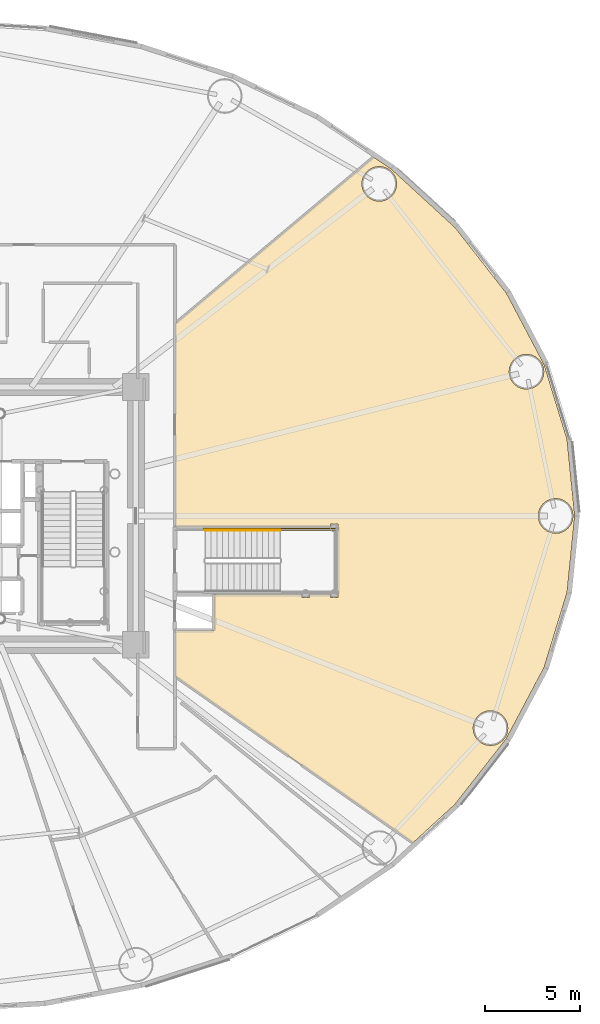
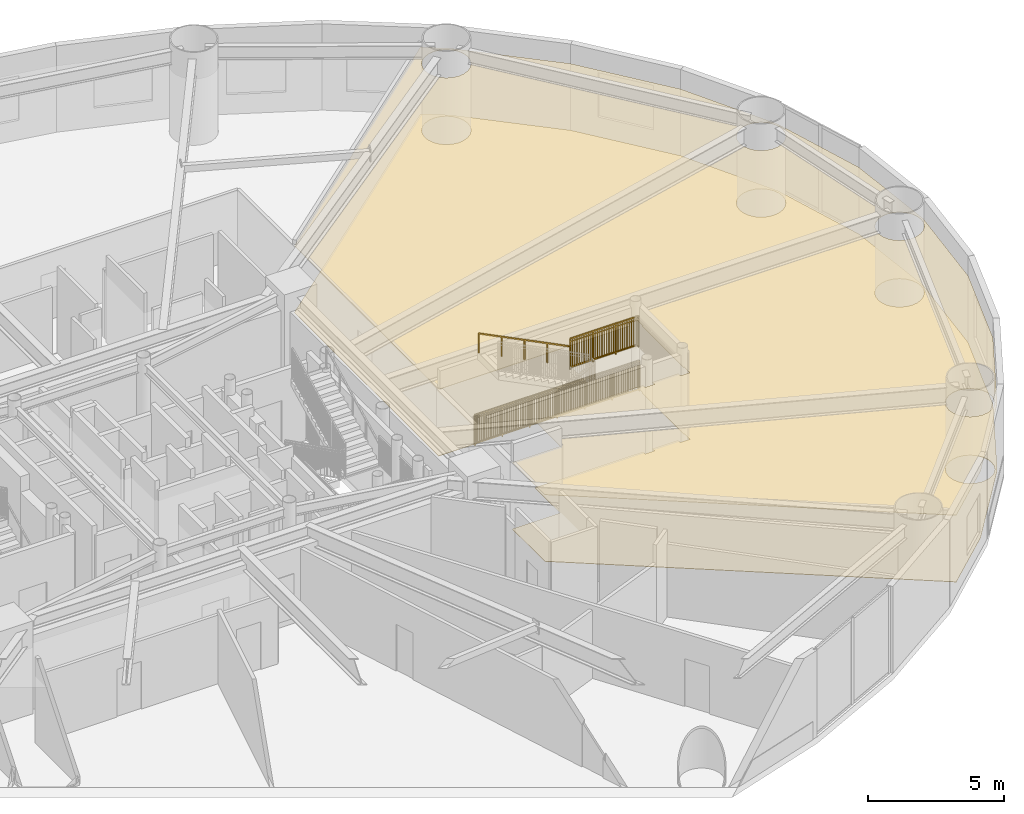
# One storey, part 29 of 30: 3 railings, 2 coverings.
"""IFC4 building model written with IfcOpenShell, lengths in metres."""

from ifc_helpers import new_model, si_unit, direction, frame, origin, origin_2d, place, context, subcontext, project, spatial, polyline, rectangle, outline, extrude, source, transform, mapped, material, layer, layer_set, type_object, element, save


model = new_model("IFC4")

# Units and contexts
model_context = context("Model", 3, precision=1e-05, world=origin(), true_north=direction((0.0, 1.0)))
body_context = subcontext(model_context, "Body", "Model", "MODEL_VIEW")
ifc_project = project(units=[si_unit("LENGTHUNIT", "METRE"), si_unit("AREAUNIT", "SQUARE_METRE"), si_unit("VOLUMEUNIT", "CUBIC_METRE"), si_unit("PLANEANGLEUNIT", "RADIAN"), si_unit("MASSUNIT", "GRAM", prefix="KILO")], contexts=[model_context])

# Site, building, storey
site_placement = place(None, origin())
site = spatial("IfcSite", under=ifc_project, at=site_placement, CompositionType="ELEMENT")
building_placement = place(site_placement, origin())
building = spatial("IfcBuilding", under=site, at=building_placement, Name="Linh Dai School and Residence Tower", CompositionType="ELEMENT")
storey_placement = place(building_placement, frame((0.0, 0.0, 10.199951171875)))
storey = spatial("IfcBuildingStorey", under=building, at=storey_placement, Name="L02", CompositionType="ELEMENT", Elevation=10.199951171875)

# Coverings
ifc_material_1 = material(Name="Mineral Fibre Acoustic Suspended Ceiling", Category="masonry")
ifc_layer_1 = layer(ifc_material_1, 0.02001953125)
ifc_layer_set_1 = layer_set([ifc_layer_1], Name="Mineral Fibre Acoustic Suspended Ceiling")
covering_type_1 = type_object("IfcCoveringType", Name="COV-CEIL-AC-20", PredefinedType="CEILING", material=ifc_layer_set_1)
covering_1_placement = place(storey_placement, frame((0.0, 0.0, 3.0)))
element("IfcCovering", 1, at=covering_1_placement, inside=storey, type_object=covering_type_1, Name="L02 Primary School Multi-Purpose Assembly Hall Suspended Ceiling", PredefinedType="CEILING", context=body_context, shape_type="SweptSolid", body=[
    extrude(outline(polyline([(62.676025390625, 11.8876953125), (60.470703125, 9.865478515625), (48.0, 18.597412109375), (48.0, 21.0), (50.050048828125, 21.0), (50.050048828125, 22.8798828125), (54.646728515625, 22.8798828125), (54.646728515625, 22.716796875), (55.05322265625, 22.716796875), (55.05322265625, 22.8798828125), (56.146728515625, 22.8798828125), (56.146728515625, 22.716796875), (56.55322265625, 22.716796875), (56.55322265625, 23.123291015625), (56.52001953125, 23.123291015625), (56.52001953125, 26.1767578125), (56.55322265625, 26.1767578125), (56.55322265625, 26.583251953125), (56.146728515625, 26.583251953125), (56.146728515625, 26.419921875), (48.0, 26.419921875), (48.0, 37.069091796875), (58.40576171875, 45.80078125), (59.32177734375, 45.18798828125), (62.676025390625, 42.1123046875), (65.371826171875, 38.66748046875), (67.34423828125, 34.938720703125), (68.546142578125, 31.017578125), (68.949951171875, 27.0), (68.546142578125, 22.982421875), (67.34423828125, 19.061279296875), (65.371826171875, 15.33251953125), (62.676025390625, 11.8876953125)]), holes=[polyline([(68.73974609375, 26.5439453125), (68.830810546875, 26.763916015625), (68.862060546875, 27.0), (68.830810546875, 27.236083984375), (68.73974609375, 27.4560546875), (68.594970703125, 27.64501953125), (68.406005859375, 27.789794921875), (68.18603515625, 27.880859375), (67.949951171875, 27.912109375), (67.714111328125, 27.880859375), (67.493896484375, 27.789794921875), (67.30517578125, 27.64501953125), (67.16015625, 27.4560546875), (67.069091796875, 27.236083984375), (67.0380859375, 27.0), (67.069091796875, 26.763916015625), (67.16015625, 26.5439453125), (67.30517578125, 26.35498046875), (67.493896484375, 26.210205078125), (67.714111328125, 26.119140625), (67.949951171875, 26.087890625), (68.18603515625, 26.119140625), (68.406005859375, 26.210205078125), (68.594970703125, 26.35498046875), (68.73974609375, 26.5439453125)]), polyline([(67.210205078125, 34.099365234375), (67.301513671875, 34.3193359375), (67.33251953125, 34.555419921875), (67.301513671875, 34.79150390625), (67.210205078125, 35.011474609375), (67.0654296875, 35.2001953125), (66.87646484375, 35.34521484375), (66.656494140625, 35.436279296875), (66.42041015625, 35.46728515625), (66.1845703125, 35.436279296875), (65.964599609375, 35.34521484375), (65.775634765625, 35.2001953125), (65.630615234375, 35.011474609375), (65.53955078125, 34.79150390625), (65.508544921875, 34.555419921875), (65.53955078125, 34.3193359375), (65.630615234375, 34.099365234375), (65.775634765625, 33.910400390625), (65.964599609375, 33.765625), (66.1845703125, 33.674560546875), (66.42041015625, 33.643310546875), (66.656494140625, 33.674560546875), (66.87646484375, 33.765625), (67.0654296875, 33.910400390625), (67.210205078125, 34.099365234375)]), polyline([(65.323486328125, 15.421875), (65.41455078125, 15.641845703125), (65.44580078125, 15.8779296875), (65.41455078125, 16.114013671875), (65.323486328125, 16.333984375), (65.178466796875, 16.522705078125), (64.98974609375, 16.667724609375), (64.769775390625, 16.7587890625), (64.53369140625, 16.789794921875), (64.297607421875, 16.7587890625), (64.07763671875, 16.667724609375), (63.888916015625, 16.522705078125), (63.743896484375, 16.333984375), (63.652587890625, 16.114013671875), (63.62158203125, 15.8779296875), (63.652587890625, 15.641845703125), (63.743896484375, 15.421875), (63.888916015625, 15.233154296875), (64.07763671875, 15.088134765625), (64.297607421875, 14.9970703125), (64.53369140625, 14.9658203125), (64.769775390625, 14.9970703125), (64.98974609375, 15.088134765625), (65.178466796875, 15.233154296875), (65.323486328125, 15.421875)]), polyline([(59.4951171875, 43.944580078125), (59.586181640625, 44.16455078125), (59.6171875, 44.400634765625), (59.586181640625, 44.63671875), (59.4951171875, 44.856689453125), (59.35009765625, 45.04541015625), (59.1611328125, 45.1904296875), (58.94140625, 45.281494140625), (58.705078125, 45.3125), (58.46923828125, 45.281494140625), (58.249267578125, 45.1904296875), (58.060302734375, 45.04541015625), (57.915283203125, 44.856689453125), (57.82421875, 44.63671875), (57.793212890625, 44.400634765625), (57.82421875, 44.16455078125), (57.915283203125, 43.944580078125), (58.060302734375, 43.755859375), (58.249267578125, 43.61083984375), (58.46923828125, 43.519775390625), (58.705078125, 43.488525390625), (58.94140625, 43.519775390625), (59.1611328125, 43.61083984375), (59.35009765625, 43.755859375), (59.4951171875, 43.944580078125)])]), origin(), (0.0, 0.0, 1.0), 0.02001953125),
])
ifc_material_2 = material(Name="Polished Terrazzo Floor Finish", Category="masonry")
ifc_layer_2 = layer(ifc_material_2, 0.02490234375)
ifc_layer_set_2 = layer_set([ifc_layer_2], Name="Polished Terrazzo Floor Finish")
covering_type_2 = type_object("IfcCoveringType", Name="COV-FLR-TRZ-25", PredefinedType="FLOORING", material=ifc_layer_set_2)
covering_2_placement = place(storey_placement, origin())
element("IfcCovering", 2, at=covering_2_placement, inside=storey, type_object=covering_type_2, Name="L02 Primary School Multi-Purpose Assembly Hall Floor Finish", PredefinedType="FLOORING", context=body_context, shape_type="SweptSolid", body=[
    extrude(outline(polyline([(62.676025390625, 11.8876953125), (60.470703125, 9.865478515625), (48.0, 18.597412109375), (48.0, 21.0), (50.050048828125, 21.0), (50.050048828125, 22.8798828125), (54.646728515625, 22.8798828125), (54.646728515625, 22.716796875), (55.05322265625, 22.716796875), (55.05322265625, 22.8798828125), (56.146728515625, 22.8798828125), (56.146728515625, 22.716796875), (56.55322265625, 22.716796875), (56.55322265625, 23.123291015625), (56.52001953125, 23.123291015625), (56.52001953125, 26.1767578125), (56.55322265625, 26.1767578125), (56.55322265625, 26.583251953125), (56.146728515625, 26.583251953125), (56.146728515625, 26.419921875), (48.0, 26.419921875), (48.0, 37.069091796875), (58.40576171875, 45.80078125), (59.32177734375, 45.18798828125), (62.676025390625, 42.1123046875), (65.371826171875, 38.66748046875), (67.34423828125, 34.938720703125), (68.546142578125, 31.017578125), (68.949951171875, 27.0), (68.546142578125, 22.982421875), (67.34423828125, 19.061279296875), (65.371826171875, 15.33251953125), (62.676025390625, 11.8876953125)]), holes=[polyline([(68.73974609375, 26.5439453125), (68.830810546875, 26.763916015625), (68.862060546875, 27.0), (68.830810546875, 27.236083984375), (68.73974609375, 27.4560546875), (68.594970703125, 27.64501953125), (68.406005859375, 27.789794921875), (68.18603515625, 27.880859375), (67.949951171875, 27.912109375), (67.714111328125, 27.880859375), (67.493896484375, 27.789794921875), (67.30517578125, 27.64501953125), (67.16015625, 27.4560546875), (67.069091796875, 27.236083984375), (67.0380859375, 27.0), (67.069091796875, 26.763916015625), (67.16015625, 26.5439453125), (67.30517578125, 26.35498046875), (67.493896484375, 26.210205078125), (67.714111328125, 26.119140625), (67.949951171875, 26.087890625), (68.18603515625, 26.119140625), (68.406005859375, 26.210205078125), (68.594970703125, 26.35498046875), (68.73974609375, 26.5439453125)]), polyline([(67.210205078125, 34.099365234375), (67.301513671875, 34.3193359375), (67.33251953125, 34.555419921875), (67.301513671875, 34.79150390625), (67.210205078125, 35.011474609375), (67.0654296875, 35.2001953125), (66.87646484375, 35.34521484375), (66.656494140625, 35.436279296875), (66.42041015625, 35.46728515625), (66.1845703125, 35.436279296875), (65.964599609375, 35.34521484375), (65.775634765625, 35.2001953125), (65.630615234375, 35.011474609375), (65.53955078125, 34.79150390625), (65.508544921875, 34.555419921875), (65.53955078125, 34.3193359375), (65.630615234375, 34.099365234375), (65.775634765625, 33.910400390625), (65.964599609375, 33.765625), (66.1845703125, 33.674560546875), (66.42041015625, 33.643310546875), (66.656494140625, 33.674560546875), (66.87646484375, 33.765625), (67.0654296875, 33.910400390625), (67.210205078125, 34.099365234375)]), polyline([(65.323486328125, 15.421875), (65.41455078125, 15.641845703125), (65.44580078125, 15.8779296875), (65.41455078125, 16.114013671875), (65.323486328125, 16.333984375), (65.178466796875, 16.522705078125), (64.98974609375, 16.667724609375), (64.769775390625, 16.7587890625), (64.53369140625, 16.789794921875), (64.297607421875, 16.7587890625), (64.07763671875, 16.667724609375), (63.888916015625, 16.522705078125), (63.743896484375, 16.333984375), (63.652587890625, 16.114013671875), (63.62158203125, 15.8779296875), (63.652587890625, 15.641845703125), (63.743896484375, 15.421875), (63.888916015625, 15.233154296875), (64.07763671875, 15.088134765625), (64.297607421875, 14.9970703125), (64.53369140625, 14.9658203125), (64.769775390625, 14.9970703125), (64.98974609375, 15.088134765625), (65.178466796875, 15.233154296875), (65.323486328125, 15.421875)]), polyline([(59.4951171875, 43.944580078125), (59.586181640625, 44.16455078125), (59.6171875, 44.400634765625), (59.586181640625, 44.63671875), (59.4951171875, 44.856689453125), (59.35009765625, 45.04541015625), (59.1611328125, 45.1904296875), (58.94140625, 45.281494140625), (58.705078125, 45.3125), (58.46923828125, 45.281494140625), (58.249267578125, 45.1904296875), (58.060302734375, 45.04541015625), (57.915283203125, 44.856689453125), (57.82421875, 44.63671875), (57.793212890625, 44.400634765625), (57.82421875, 44.16455078125), (57.915283203125, 43.944580078125), (58.060302734375, 43.755859375), (58.249267578125, 43.61083984375), (58.46923828125, 43.519775390625), (58.705078125, 43.488525390625), (58.94140625, 43.519775390625), (59.1611328125, 43.61083984375), (59.35009765625, 43.755859375), (59.4951171875, 43.944580078125)])]), origin(), (0.0, 0.0, 1.0), 0.02001953125),
])

# Railings
ifc_material_3 = material(Name="Brushed Stainless Steel Handrail", Category="steel")
railing_type_1 = type_object("IfcRailingType", Name="RL-ST-HANDRAIL-900", PredefinedType="HANDRAIL", material=ifc_material_3)
shared_shape_1 = source(origin(), body_context, "Body", "SweptSolid", [
    extrude(rectangle(XDim=0.048095703125, YDim=0.048095703125, at=origin_2d()), frame((0.0, 0.0, 0.8759765625), z_axis=(-0.894427191, 0.0, 0.4472135955), x_axis=(0.0, -1.0, 0.0)), (0.0, 0.0, 1.0), 4.360107421875),
    extrude(rectangle(XDim=0.0419921875, YDim=0.0419921875, at=origin_2d()), origin(), (0.0, 0.0, 1.0), 0.8759765625),
    extrude(rectangle(XDim=0.0419921875, YDim=0.0419921875, at=origin_2d()), frame((-0.97509765625, 0.0, 0.487548828125)), (0.0, 0.0, 1.0), 0.8759765625),
    extrude(rectangle(XDim=0.0419921875, YDim=0.0419921875, at=origin_2d()), frame((-1.949951171875, 0.0, 0.97509765625)), (0.0, 0.0, 1.0), 0.8759765625),
    extrude(rectangle(XDim=0.0419921875, YDim=0.0419921875, at=origin_2d()), frame((-2.9248046875, 0.0, 1.46240234375)), (0.0, 0.0, 1.0), 0.8759765625),
    extrude(rectangle(XDim=0.0419921875, YDim=0.0419921875, at=origin_2d()), frame((-3.89990234375, 0.0, 1.949951171875)), (0.0, 0.0, 1.0), 0.8759765625),
])
railing_1_placement = place(storey_placement, frame((53.5, 26.25, 2.25)))
element("IfcRailing", 3, at=railing_1_placement, inside=storey, type_object=railing_type_1, Name="L02 STS2 stair handrail 2", PredefinedType="HANDRAIL", context=body_context, shape_type="MappedRepresentation", body=[
    mapped(shared_shape_1, transform((0.0, 0.0, 0.0), x_axis=(1.0, 0.0, 0.0), y_axis=(0.0, 1.0, 0.0), z_axis=(0.0, 0.0, 1.0), scale=1.0)),
])
ifc_material_4 = material(Name="Structural Steel S355JR", Category="steel")
railing_type_2 = type_object("IfcRailingType", Name="RL-ST-GUARD-1400", PredefinedType="GUARDRAIL", material=ifc_material_4)
shared_shape_2 = source(origin(), body_context, "Body", "SweptSolid", [
    extrude(rectangle(XDim=0.048095703125, YDim=0.048095703125, at=origin_2d()), frame((0.0, 0.0, 1.3759765625), z_axis=(1.0, 0.0, 0.0), x_axis=(0.0, 1.0, 0.0)), (0.0, 0.0, 1.0), 2.89990234375),
    extrude(rectangle(XDim=0.048095703125, YDim=0.048095703125, at=origin_2d()), frame((0.0, 0.0, 0.10009765625), z_axis=(1.0, 0.0, 0.0), x_axis=(0.0, 1.0, 0.0)), (0.0, 0.0, 1.0), 2.89990234375),
    extrude(rectangle(XDim=0.030029296875, YDim=0.030029296875, at=origin_2d()), frame((0.0, 0.0, 1.239990234375), z_axis=(1.0, 0.0, 0.0), x_axis=(0.0, 1.0, 0.0)), (0.0, 0.0, 1.0), 2.89990234375),
    extrude(rectangle(XDim=0.02001953125, YDim=0.02001953125, at=origin_2d()), frame((0.0966796875, 0.0, 0.10009765625)), (0.0, 0.0, 1.0), 1.251708984375),
    extrude(rectangle(XDim=0.02001953125, YDim=0.02001953125, at=origin_2d()), frame((0.193359375, 0.0, 0.10009765625)), (0.0, 0.0, 1.0), 1.251708984375),
    extrude(rectangle(XDim=0.02001953125, YDim=0.02001953125, at=origin_2d()), frame((0.2900390625, 0.0, 0.10009765625)), (0.0, 0.0, 1.0), 1.251708984375),
    extrude(rectangle(XDim=0.02001953125, YDim=0.02001953125, at=origin_2d()), frame((0.38671875, 0.0, 0.10009765625)), (0.0, 0.0, 1.0), 1.251708984375),
    extrude(rectangle(XDim=0.02001953125, YDim=0.02001953125, at=origin_2d()), frame((0.4833984375, 0.0, 0.10009765625)), (0.0, 0.0, 1.0), 1.251708984375),
    extrude(rectangle(XDim=0.02001953125, YDim=0.02001953125, at=origin_2d()), frame((0.580078125, 0.0, 0.10009765625)), (0.0, 0.0, 1.0), 1.251708984375),
    extrude(rectangle(XDim=0.02001953125, YDim=0.02001953125, at=origin_2d()), frame((0.6767578125, 0.0, 0.10009765625)), (0.0, 0.0, 1.0), 1.251708984375),
    extrude(rectangle(XDim=0.02001953125, YDim=0.02001953125, at=origin_2d()), frame((0.773193359375, 0.0, 0.10009765625)), (0.0, 0.0, 1.0), 1.251708984375),
    extrude(rectangle(XDim=0.02001953125, YDim=0.02001953125, at=origin_2d()), frame((0.869873046875, 0.0, 0.10009765625)), (0.0, 0.0, 1.0), 1.251708984375),
    extrude(rectangle(XDim=0.02001953125, YDim=0.02001953125, at=origin_2d()), frame((1.063232421875, 0.0, 0.10009765625)), (0.0, 0.0, 1.0), 1.251708984375),
    extrude(rectangle(XDim=0.02001953125, YDim=0.02001953125, at=origin_2d()), frame((1.159912109375, 0.0, 0.10009765625)), (0.0, 0.0, 1.0), 1.251708984375),
    extrude(rectangle(XDim=0.02001953125, YDim=0.02001953125, at=origin_2d()), frame((1.256591796875, 0.0, 0.10009765625)), (0.0, 0.0, 1.0), 1.251708984375),
    extrude(rectangle(XDim=0.02001953125, YDim=0.02001953125, at=origin_2d()), frame((1.353271484375, 0.0, 0.10009765625)), (0.0, 0.0, 1.0), 1.251708984375),
    extrude(rectangle(XDim=0.02001953125, YDim=0.02001953125, at=origin_2d()), frame((1.449951171875, 0.0, 0.10009765625)), (0.0, 0.0, 1.0), 1.251708984375),
    extrude(rectangle(XDim=0.02001953125, YDim=0.02001953125, at=origin_2d()), frame((1.546630859375, 0.0, 0.10009765625)), (0.0, 0.0, 1.0), 1.251708984375),
    extrude(rectangle(XDim=0.02001953125, YDim=0.02001953125, at=origin_2d()), frame((1.643310546875, 0.0, 0.10009765625)), (0.0, 0.0, 1.0), 1.251708984375),
    extrude(rectangle(XDim=0.02001953125, YDim=0.02001953125, at=origin_2d()), frame((1.739990234375, 0.0, 0.10009765625)), (0.0, 0.0, 1.0), 1.251708984375),
    extrude(rectangle(XDim=0.02001953125, YDim=0.02001953125, at=origin_2d()), frame((1.836669921875, 0.0, 0.10009765625)), (0.0, 0.0, 1.0), 1.251708984375),
    extrude(rectangle(XDim=0.02001953125, YDim=0.02001953125, at=origin_2d()), frame((2.030029296875, 0.0, 0.10009765625)), (0.0, 0.0, 1.0), 1.251708984375),
    extrude(rectangle(XDim=0.02001953125, YDim=0.02001953125, at=origin_2d()), frame((2.126708984375, 0.0, 0.10009765625)), (0.0, 0.0, 1.0), 1.251708984375),
    extrude(rectangle(XDim=0.02001953125, YDim=0.02001953125, at=origin_2d()), frame((2.22314453125, 0.0, 0.10009765625)), (0.0, 0.0, 1.0), 1.251708984375),
    extrude(rectangle(XDim=0.02001953125, YDim=0.02001953125, at=origin_2d()), frame((2.31982421875, 0.0, 0.10009765625)), (0.0, 0.0, 1.0), 1.251708984375),
    extrude(rectangle(XDim=0.02001953125, YDim=0.02001953125, at=origin_2d()), frame((2.41650390625, 0.0, 0.10009765625)), (0.0, 0.0, 1.0), 1.251708984375),
    extrude(rectangle(XDim=0.02001953125, YDim=0.02001953125, at=origin_2d()), frame((2.51318359375, 0.0, 0.10009765625)), (0.0, 0.0, 1.0), 1.251708984375),
    extrude(rectangle(XDim=0.02001953125, YDim=0.02001953125, at=origin_2d()), frame((2.60986328125, 0.0, 0.10009765625)), (0.0, 0.0, 1.0), 1.251708984375),
    extrude(rectangle(XDim=0.02001953125, YDim=0.02001953125, at=origin_2d()), frame((2.70654296875, 0.0, 0.10009765625)), (0.0, 0.0, 1.0), 1.251708984375),
    extrude(rectangle(XDim=0.02001953125, YDim=0.02001953125, at=origin_2d()), frame((2.80322265625, 0.0, 0.10009765625)), (0.0, 0.0, 1.0), 1.251708984375),
    extrude(rectangle(XDim=0.0419921875, YDim=0.0419921875, at=origin_2d()), origin(), (0.0, 0.0, 1.0), 1.3759765625),
    extrude(rectangle(XDim=0.0419921875, YDim=0.0419921875, at=origin_2d()), frame((0.966552734375, 0.0, 0.0)), (0.0, 0.0, 1.0), 1.3759765625),
    extrude(rectangle(XDim=0.0419921875, YDim=0.0419921875, at=origin_2d()), frame((1.933349609375, 0.0, 0.0)), (0.0, 0.0, 1.0), 1.3759765625),
    extrude(rectangle(XDim=0.0419921875, YDim=0.0419921875, at=origin_2d()), frame((2.89990234375, 0.0, 0.0)), (0.0, 0.0, 1.0), 1.3759765625),
])
railing_2_placement = place(storey_placement, frame((53.5, 26.25, 2.10009765625)))
element("IfcRailing", 4, at=railing_2_placement, inside=storey, type_object=railing_type_2, Name="L02 STS2 stair guard 4", PredefinedType="GUARDRAIL", context=body_context, shape_type="MappedRepresentation", body=[
    mapped(shared_shape_2, transform((0.0, 0.0, 0.0), x_axis=(1.0, 0.0, 0.0), y_axis=(0.0, 1.0, 0.0), z_axis=(0.0, 0.0, 1.0), scale=1.0)),
])
shared_shape_3 = source(origin(), body_context, "Body", "SweptSolid", [
    extrude(rectangle(XDim=0.048095703125, YDim=0.048095703125, at=origin_2d()), frame((0.0, 0.0, 1.3759765625), z_axis=(1.0, 0.0, 0.0), x_axis=(0.0, 1.0, 0.0)), (0.0, 0.0, 1.0), 7.0),
    extrude(rectangle(XDim=0.048095703125, YDim=0.048095703125, at=origin_2d()), frame((0.0, 0.0, 0.10009765625), z_axis=(1.0, 0.0, 0.0), x_axis=(0.0, 1.0, 0.0)), (0.0, 0.0, 1.0), 7.0),
    extrude(rectangle(XDim=0.030029296875, YDim=0.030029296875, at=origin_2d()), frame((0.0, 0.0, 1.239990234375), z_axis=(1.0, 0.0, 0.0), x_axis=(0.0, 1.0, 0.0)), (0.0, 0.0, 1.0), 7.0),
    extrude(rectangle(XDim=0.02001953125, YDim=0.02001953125, at=origin_2d()), frame((0.09716796875, 0.0, 0.10009765625)), (0.0, 0.0, 1.0), 1.251708984375),
    extrude(rectangle(XDim=0.02001953125, YDim=0.02001953125, at=origin_2d()), frame((0.1943359375, 0.0, 0.10009765625)), (0.0, 0.0, 1.0), 1.251708984375),
    extrude(rectangle(XDim=0.02001953125, YDim=0.02001953125, at=origin_2d()), frame((0.291748046875, 0.0, 0.10009765625)), (0.0, 0.0, 1.0), 1.251708984375),
    extrude(rectangle(XDim=0.02001953125, YDim=0.02001953125, at=origin_2d()), frame((0.388916015625, 0.0, 0.10009765625)), (0.0, 0.0, 1.0), 1.251708984375),
    extrude(rectangle(XDim=0.02001953125, YDim=0.02001953125, at=origin_2d()), frame((0.486083984375, 0.0, 0.10009765625)), (0.0, 0.0, 1.0), 1.251708984375),
    extrude(rectangle(XDim=0.02001953125, YDim=0.02001953125, at=origin_2d()), frame((0.583251953125, 0.0, 0.10009765625)), (0.0, 0.0, 1.0), 1.251708984375),
    extrude(rectangle(XDim=0.02001953125, YDim=0.02001953125, at=origin_2d()), frame((0.6806640625, 0.0, 0.10009765625)), (0.0, 0.0, 1.0), 1.251708984375),
    extrude(rectangle(XDim=0.02001953125, YDim=0.02001953125, at=origin_2d()), frame((0.77783203125, 0.0, 0.10009765625)), (0.0, 0.0, 1.0), 1.251708984375),
    extrude(rectangle(XDim=0.02001953125, YDim=0.02001953125, at=origin_2d()), frame((0.875, 0.0, 0.10009765625)), (0.0, 0.0, 1.0), 1.251708984375),
    extrude(rectangle(XDim=0.02001953125, YDim=0.02001953125, at=origin_2d()), frame((0.97216796875, 0.0, 0.10009765625)), (0.0, 0.0, 1.0), 1.251708984375),
    extrude(rectangle(XDim=0.02001953125, YDim=0.02001953125, at=origin_2d()), frame((1.0693359375, 0.0, 0.10009765625)), (0.0, 0.0, 1.0), 1.251708984375),
    extrude(rectangle(XDim=0.02001953125, YDim=0.02001953125, at=origin_2d()), frame((1.263916015625, 0.0, 0.10009765625)), (0.0, 0.0, 1.0), 1.251708984375),
    extrude(rectangle(XDim=0.02001953125, YDim=0.02001953125, at=origin_2d()), frame((1.361083984375, 0.0, 0.10009765625)), (0.0, 0.0, 1.0), 1.251708984375),
    extrude(rectangle(XDim=0.02001953125, YDim=0.02001953125, at=origin_2d()), frame((1.458251953125, 0.0, 0.10009765625)), (0.0, 0.0, 1.0), 1.251708984375),
    extrude(rectangle(XDim=0.02001953125, YDim=0.02001953125, at=origin_2d()), frame((1.5556640625, 0.0, 0.10009765625)), (0.0, 0.0, 1.0), 1.251708984375),
    extrude(rectangle(XDim=0.02001953125, YDim=0.02001953125, at=origin_2d()), frame((1.65283203125, 0.0, 0.10009765625)), (0.0, 0.0, 1.0), 1.251708984375),
    extrude(rectangle(XDim=0.02001953125, YDim=0.02001953125, at=origin_2d()), frame((1.75, 0.0, 0.10009765625)), (0.0, 0.0, 1.0), 1.251708984375),
    extrude(rectangle(XDim=0.02001953125, YDim=0.02001953125, at=origin_2d()), frame((1.84716796875, 0.0, 0.10009765625)), (0.0, 0.0, 1.0), 1.251708984375),
    extrude(rectangle(XDim=0.02001953125, YDim=0.02001953125, at=origin_2d()), frame((1.9443359375, 0.0, 0.10009765625)), (0.0, 0.0, 1.0), 1.251708984375),
    extrude(rectangle(XDim=0.02001953125, YDim=0.02001953125, at=origin_2d()), frame((2.041748046875, 0.0, 0.10009765625)), (0.0, 0.0, 1.0), 1.251708984375),
    extrude(rectangle(XDim=0.02001953125, YDim=0.02001953125, at=origin_2d()), frame((2.138916015625, 0.0, 0.10009765625)), (0.0, 0.0, 1.0), 1.251708984375),
    extrude(rectangle(XDim=0.02001953125, YDim=0.02001953125, at=origin_2d()), frame((2.236083984375, 0.0, 0.10009765625)), (0.0, 0.0, 1.0), 1.251708984375),
    extrude(rectangle(XDim=0.02001953125, YDim=0.02001953125, at=origin_2d()), frame((2.4306640625, 0.0, 0.10009765625)), (0.0, 0.0, 1.0), 1.251708984375),
    extrude(rectangle(XDim=0.02001953125, YDim=0.02001953125, at=origin_2d()), frame((2.52783203125, 0.0, 0.10009765625)), (0.0, 0.0, 1.0), 1.251708984375),
    extrude(rectangle(XDim=0.02001953125, YDim=0.02001953125, at=origin_2d()), frame((2.625, 0.0, 0.10009765625)), (0.0, 0.0, 1.0), 1.251708984375),
    extrude(rectangle(XDim=0.02001953125, YDim=0.02001953125, at=origin_2d()), frame((2.72216796875, 0.0, 0.10009765625)), (0.0, 0.0, 1.0), 1.251708984375),
    extrude(rectangle(XDim=0.02001953125, YDim=0.02001953125, at=origin_2d()), frame((2.8193359375, 0.0, 0.10009765625)), (0.0, 0.0, 1.0), 1.251708984375),
    extrude(rectangle(XDim=0.02001953125, YDim=0.02001953125, at=origin_2d()), frame((2.916748046875, 0.0, 0.10009765625)), (0.0, 0.0, 1.0), 1.251708984375),
    extrude(rectangle(XDim=0.02001953125, YDim=0.02001953125, at=origin_2d()), frame((3.013916015625, 0.0, 0.10009765625)), (0.0, 0.0, 1.0), 1.251708984375),
    extrude(rectangle(XDim=0.02001953125, YDim=0.02001953125, at=origin_2d()), frame((3.111083984375, 0.0, 0.10009765625)), (0.0, 0.0, 1.0), 1.251708984375),
    extrude(rectangle(XDim=0.02001953125, YDim=0.02001953125, at=origin_2d()), frame((3.208251953125, 0.0, 0.10009765625)), (0.0, 0.0, 1.0), 1.251708984375),
    extrude(rectangle(XDim=0.02001953125, YDim=0.02001953125, at=origin_2d()), frame((3.3056640625, 0.0, 0.10009765625)), (0.0, 0.0, 1.0), 1.251708984375),
    extrude(rectangle(XDim=0.02001953125, YDim=0.02001953125, at=origin_2d()), frame((3.40283203125, 0.0, 0.10009765625)), (0.0, 0.0, 1.0), 1.251708984375),
    extrude(rectangle(XDim=0.02001953125, YDim=0.02001953125, at=origin_2d()), frame((3.59716796875, 0.0, 0.10009765625)), (0.0, 0.0, 1.0), 1.251708984375),
    extrude(rectangle(XDim=0.02001953125, YDim=0.02001953125, at=origin_2d()), frame((3.6943359375, 0.0, 0.10009765625)), (0.0, 0.0, 1.0), 1.251708984375),
    extrude(rectangle(XDim=0.02001953125, YDim=0.02001953125, at=origin_2d()), frame((3.791748046875, 0.0, 0.10009765625)), (0.0, 0.0, 1.0), 1.251708984375),
    extrude(rectangle(XDim=0.02001953125, YDim=0.02001953125, at=origin_2d()), frame((3.888916015625, 0.0, 0.10009765625)), (0.0, 0.0, 1.0), 1.251708984375),
    extrude(rectangle(XDim=0.02001953125, YDim=0.02001953125, at=origin_2d()), frame((3.986083984375, 0.0, 0.10009765625)), (0.0, 0.0, 1.0), 1.251708984375),
    extrude(rectangle(XDim=0.02001953125, YDim=0.02001953125, at=origin_2d()), frame((4.083251953125, 0.0, 0.10009765625)), (0.0, 0.0, 1.0), 1.251708984375),
    extrude(rectangle(XDim=0.02001953125, YDim=0.02001953125, at=origin_2d()), frame((4.1806640625, 0.0, 0.10009765625)), (0.0, 0.0, 1.0), 1.251708984375),
    extrude(rectangle(XDim=0.02001953125, YDim=0.02001953125, at=origin_2d()), frame((4.27783203125, 0.0, 0.10009765625)), (0.0, 0.0, 1.0), 1.251708984375),
    extrude(rectangle(XDim=0.02001953125, YDim=0.02001953125, at=origin_2d()), frame((4.375, 0.0, 0.10009765625)), (0.0, 0.0, 1.0), 1.251708984375),
    extrude(rectangle(XDim=0.02001953125, YDim=0.02001953125, at=origin_2d()), frame((4.47216796875, 0.0, 0.10009765625)), (0.0, 0.0, 1.0), 1.251708984375),
    extrude(rectangle(XDim=0.02001953125, YDim=0.02001953125, at=origin_2d()), frame((4.5693359375, 0.0, 0.10009765625)), (0.0, 0.0, 1.0), 1.251708984375),
    extrude(rectangle(XDim=0.02001953125, YDim=0.02001953125, at=origin_2d()), frame((4.763916015625, 0.0, 0.10009765625)), (0.0, 0.0, 1.0), 1.251708984375),
    extrude(rectangle(XDim=0.02001953125, YDim=0.02001953125, at=origin_2d()), frame((4.861083984375, 0.0, 0.10009765625)), (0.0, 0.0, 1.0), 1.251708984375),
    extrude(rectangle(XDim=0.02001953125, YDim=0.02001953125, at=origin_2d()), frame((4.958251953125, 0.0, 0.10009765625)), (0.0, 0.0, 1.0), 1.251708984375),
    extrude(rectangle(XDim=0.02001953125, YDim=0.02001953125, at=origin_2d()), frame((5.0556640625, 0.0, 0.10009765625)), (0.0, 0.0, 1.0), 1.251708984375),
    extrude(rectangle(XDim=0.02001953125, YDim=0.02001953125, at=origin_2d()), frame((5.15283203125, 0.0, 0.10009765625)), (0.0, 0.0, 1.0), 1.251708984375),
    extrude(rectangle(XDim=0.02001953125, YDim=0.02001953125, at=origin_2d()), frame((5.25, 0.0, 0.10009765625)), (0.0, 0.0, 1.0), 1.251708984375),
    extrude(rectangle(XDim=0.02001953125, YDim=0.02001953125, at=origin_2d()), frame((5.34716796875, 0.0, 0.10009765625)), (0.0, 0.0, 1.0), 1.251708984375),
    extrude(rectangle(XDim=0.02001953125, YDim=0.02001953125, at=origin_2d()), frame((5.4443359375, 0.0, 0.10009765625)), (0.0, 0.0, 1.0), 1.251708984375),
    extrude(rectangle(XDim=0.02001953125, YDim=0.02001953125, at=origin_2d()), frame((5.541748046875, 0.0, 0.10009765625)), (0.0, 0.0, 1.0), 1.251708984375),
    extrude(rectangle(XDim=0.02001953125, YDim=0.02001953125, at=origin_2d()), frame((5.638916015625, 0.0, 0.10009765625)), (0.0, 0.0, 1.0), 1.251708984375),
    extrude(rectangle(XDim=0.02001953125, YDim=0.02001953125, at=origin_2d()), frame((5.736083984375, 0.0, 0.10009765625)), (0.0, 0.0, 1.0), 1.251708984375),
    extrude(rectangle(XDim=0.02001953125, YDim=0.02001953125, at=origin_2d()), frame((5.9306640625, 0.0, 0.10009765625)), (0.0, 0.0, 1.0), 1.251708984375),
    extrude(rectangle(XDim=0.02001953125, YDim=0.02001953125, at=origin_2d()), frame((6.02783203125, 0.0, 0.10009765625)), (0.0, 0.0, 1.0), 1.251708984375),
    extrude(rectangle(XDim=0.02001953125, YDim=0.02001953125, at=origin_2d()), frame((6.125, 0.0, 0.10009765625)), (0.0, 0.0, 1.0), 1.251708984375),
    extrude(rectangle(XDim=0.02001953125, YDim=0.02001953125, at=origin_2d()), frame((6.22216796875, 0.0, 0.10009765625)), (0.0, 0.0, 1.0), 1.251708984375),
    extrude(rectangle(XDim=0.02001953125, YDim=0.02001953125, at=origin_2d()), frame((6.3193359375, 0.0, 0.10009765625)), (0.0, 0.0, 1.0), 1.251708984375),
    extrude(rectangle(XDim=0.02001953125, YDim=0.02001953125, at=origin_2d()), frame((6.416748046875, 0.0, 0.10009765625)), (0.0, 0.0, 1.0), 1.251708984375),
    extrude(rectangle(XDim=0.02001953125, YDim=0.02001953125, at=origin_2d()), frame((6.513916015625, 0.0, 0.10009765625)), (0.0, 0.0, 1.0), 1.251708984375),
    extrude(rectangle(XDim=0.02001953125, YDim=0.02001953125, at=origin_2d()), frame((6.611083984375, 0.0, 0.10009765625)), (0.0, 0.0, 1.0), 1.251708984375),
    extrude(rectangle(XDim=0.02001953125, YDim=0.02001953125, at=origin_2d()), frame((6.708251953125, 0.0, 0.10009765625)), (0.0, 0.0, 1.0), 1.251708984375),
    extrude(rectangle(XDim=0.02001953125, YDim=0.02001953125, at=origin_2d()), frame((6.8056640625, 0.0, 0.10009765625)), (0.0, 0.0, 1.0), 1.251708984375),
    extrude(rectangle(XDim=0.02001953125, YDim=0.02001953125, at=origin_2d()), frame((6.90283203125, 0.0, 0.10009765625)), (0.0, 0.0, 1.0), 1.251708984375),
    extrude(rectangle(XDim=0.0419921875, YDim=0.0419921875, at=origin_2d()), origin(), (0.0, 0.0, 1.0), 1.3759765625),
    extrude(rectangle(XDim=0.0419921875, YDim=0.0419921875, at=origin_2d()), frame((1.166748046875, 0.0, 0.0)), (0.0, 0.0, 1.0), 1.3759765625),
    extrude(rectangle(XDim=0.0419921875, YDim=0.0419921875, at=origin_2d()), frame((2.333251953125, 0.0, 0.0)), (0.0, 0.0, 1.0), 1.3759765625),
    extrude(rectangle(XDim=0.0419921875, YDim=0.0419921875, at=origin_2d()), frame((3.5, 0.0, 0.0)), (0.0, 0.0, 1.0), 1.3759765625),
    extrude(rectangle(XDim=0.0419921875, YDim=0.0419921875, at=origin_2d()), frame((4.666748046875, 0.0, 0.0)), (0.0, 0.0, 1.0), 1.3759765625),
    extrude(rectangle(XDim=0.0419921875, YDim=0.0419921875, at=origin_2d()), frame((5.833251953125, 0.0, 0.0)), (0.0, 0.0, 1.0), 1.3759765625),
    extrude(rectangle(XDim=0.0419921875, YDim=0.0419921875, at=origin_2d()), frame((7.0, 0.0, 0.0)), (0.0, 0.0, 1.0), 1.3759765625),
])
railing_3_placement = place(storey_placement, frame((49.5, 26.35009765625, 0.0)))
element("IfcRailing", 5, at=railing_3_placement, inside=storey, type_object=railing_type_2, Name="L02 STS2 stair guard 11", PredefinedType="GUARDRAIL", context=body_context, shape_type="MappedRepresentation", body=[
    mapped(shared_shape_3, transform((0.0, 0.0, 0.0), x_axis=(1.0, 0.0, 0.0), y_axis=(0.0, 1.0, 0.0), z_axis=(0.0, 0.0, 1.0), scale=1.0)),
])

save(model, "model.ifc")
